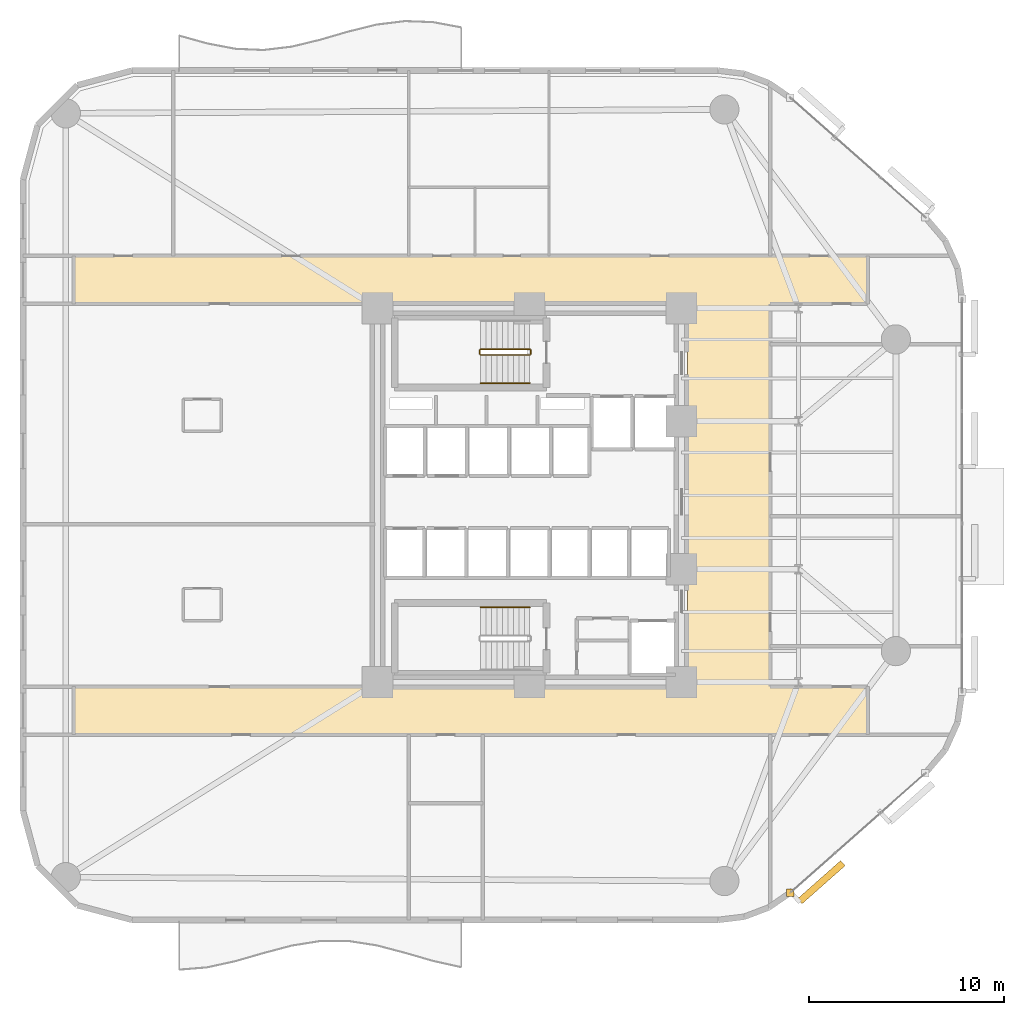
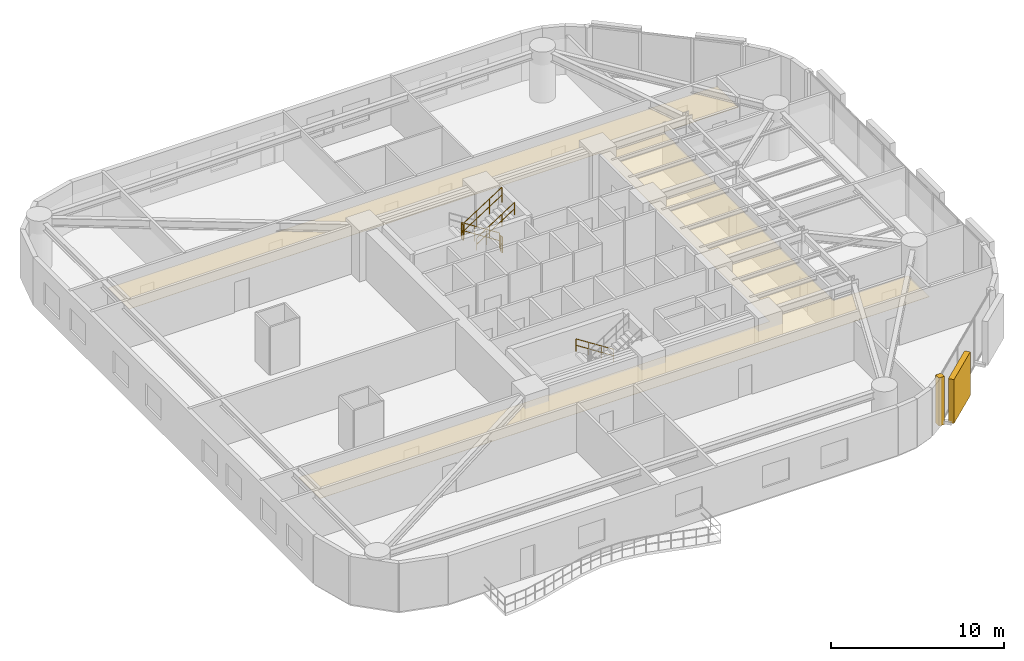
# One storey, part 15 of 16: 6 railings, 2 coverings, 1 shading device.
"""IFC4 building model written with IfcOpenShell, lengths in metres."""

from ifc_helpers import new_model, si_unit, direction, frame, origin, origin_2d, place, context, subcontext, project, spatial, polyline, rectangle, circle, outline, extrude, material, layer, layer_set, type_object, element, save


model = new_model("IFC4")

# Units and contexts
model_context = context("Model", 3, precision=1e-05, world=origin(), true_north=direction((0.0, 1.0)))
body_context = subcontext(model_context, "Body", "Model", "MODEL_VIEW")
ifc_project = project(units=[si_unit("LENGTHUNIT", "METRE"), si_unit("AREAUNIT", "SQUARE_METRE"), si_unit("VOLUMEUNIT", "CUBIC_METRE"), si_unit("PLANEANGLEUNIT", "RADIAN"), si_unit("MASSUNIT", "GRAM", prefix="KILO")], contexts=[model_context])

# Site, building, storey
site_placement = place(None, origin())
site = spatial("IfcSite", under=ifc_project, at=site_placement, CompositionType="ELEMENT")
building_placement = place(site_placement, origin())
building = spatial("IfcBuilding", under=site, at=building_placement, Name="An Khanh Terracotta Commons", CompositionType="ELEMENT")
storey_placement = place(building_placement, frame((0.0, 0.0, 39.60009765625)))
storey = spatial("IfcBuildingStorey", under=building, at=storey_placement, Name="L10", CompositionType="ELEMENT", Elevation=39.60009765625)

# Coverings
ifc_material_1 = material(Name="Perforated Mineral-Fibre Acoustic Tile")
ifc_layer_1 = layer(ifc_material_1, 0.02001953125, Name="Perforated Mineral-Fibre Acoustic Tile")
ifc_layer_set_1 = layer_set([ifc_layer_1], Name="Perforated Mineral-Fibre Acoustic Tile")
covering_type_1 = type_object("IfcCoveringType", Name="CEIL-ACOUSTIC-18", PredefinedType="CEILING", material=ifc_layer_set_1)
covering_1_placement = place(storey_placement, frame((0.0, 0.0, 2.64990234375)))
element("IfcCovering", 1, at=covering_1_placement, inside=storey, type_object=covering_type_1, Name="L10 Corridor Ceiling", PredefinedType="CEILING", context=body_context, shape_type="SweptSolid", body=[
    extrude(outline(polyline([(37.5, 14.179931640625), (37.5, 33.820068359375), (6.0, 33.820068359375), (6.0, 36.280029296875), (37.5, 36.280029296875), (41.75, 36.280029296875), (46.75, 36.280029296875), (46.75, 33.820068359375), (41.75, 33.820068359375), (41.75, 14.179931640625), (46.75, 14.179931640625), (46.75, 11.719970703125), (41.75, 11.719970703125), (37.5, 11.719970703125), (6.0, 11.719970703125), (6.0, 14.179931640625), (37.5, 14.179931640625)])), origin(), (0.0, 0.0, 1.0), 0.02001953125),
])
ifc_material_2 = material(Name="Fired Terracotta Rainscreen Cladding", Category="masonry")
ifc_layer_2 = layer(ifc_material_2, 0.080078125, Name="Fired Terracotta Rainscreen Cladding")
ifc_layer_set_2 = layer_set([ifc_layer_2], Name="Fired Terracotta Rainscreen Cladding")
covering_type_2 = type_object("IfcCoveringType", Name="COV-JAMB-TERRA", PredefinedType="CLADDING", material=ifc_layer_set_2)
covering_2_placement = place(storey_placement, frame((42.7890625, 3.60595703125, 0.0), z_axis=(0.0, 0.0, 1.0), x_axis=(1.0, 0.0, 0.0)))
element("IfcCovering", 2, at=covering_2_placement, inside=storey, type_object=covering_type_2, Name="L10 CW-02 Curtain-Wall Jamb Closure JA", PredefinedType="CLADDING", context=body_context, shape_type="SweptSolid", body=[
    extrude(rectangle(XDim=0.3798828125, YDim=0.3798828125, at=origin_2d()), origin(), (0.0, 0.0, 1.0), 3.39990234375),
])

# Railings
ifc_material_3 = material(Name="Brushed Stainless Steel 316", Category="steel")
railing_type_1 = type_object("IfcRailingType", Name="RAIL-HANDRAIL-900", PredefinedType="HANDRAIL", material=ifc_material_3)
railing_1_placement = place(storey_placement, frame((26.889892578125, 29.75, 1.97998046875)))
element("IfcRailing", 3, at=railing_1_placement, inside=storey, type_object=railing_type_1, Name="L10 ST-01 stair handrail 2", PredefinedType="HANDRAIL", context=body_context, shape_type="SweptSolid", body=[
    extrude(circle(Radius=0.02392578125, at=origin_2d()), frame((0.0, 0.0, 0.8759765625), z_axis=(0.841199657755, 0.0, 0.540724639528), x_axis=(0.0, 1.0, 0.0)), (0.0, 0.0, 1.0), 2.995849609375),
    extrude(circle(Radius=0.02392578125, at=origin_2d()), frame((0.0, 0.0, 0.42578125), z_axis=(0.841199657755, 0.0, 0.540724639528), x_axis=(0.0, 1.0, 0.0)), (0.0, 0.0, 1.0), 2.995849609375),
    extrude(circle(Radius=0.02099609375, at=origin_2d()), origin(), (0.0, 0.0, 1.0), 0.851806640625),
    extrude(circle(Radius=0.02099609375, at=origin_2d()), frame((0.840087890625, 0.0, 0.5400390625)), (0.0, 0.0, 1.0), 0.851806640625),
    extrude(circle(Radius=0.02099609375, at=origin_2d()), frame((1.679931640625, 0.0, 1.079833984375)), (0.0, 0.0, 1.0), 0.851806640625),
    extrude(circle(Radius=0.02099609375, at=origin_2d()), frame((2.52001953125, 0.0, 1.619873046875)), (0.0, 0.0, 1.0), 0.851806640625),
])
railing_2_placement = place(storey_placement, frame((29.409912109375, 18.25, 0.179931640625)))
element("IfcRailing", 4, at=railing_2_placement, inside=storey, type_object=railing_type_1, Name="L10 ST-02 stair handrail 1", PredefinedType="HANDRAIL", context=body_context, shape_type="SweptSolid", body=[
    extrude(circle(Radius=0.02392578125, at=origin_2d()), frame((0.0, 0.0, 0.8759765625), z_axis=(-0.841199657755, 0.0, 0.540724639528), x_axis=(0.0, -1.0, 0.0)), (0.0, 0.0, 1.0), 2.995849609375),
    extrude(circle(Radius=0.02392578125, at=origin_2d()), frame((0.0, 0.0, 0.42578125), z_axis=(-0.841199657755, 0.0, 0.540724639528), x_axis=(0.0, -1.0, 0.0)), (0.0, 0.0, 1.0), 2.995849609375),
    extrude(circle(Radius=0.02099609375, at=origin_2d()), origin(), (0.0, 0.0, 1.0), 0.851806640625),
    extrude(circle(Radius=0.02099609375, at=origin_2d()), frame((-0.840087890625, 0.0, 0.5400390625)), (0.0, 0.0, 1.0), 0.851806640625),
    extrude(circle(Radius=0.02099609375, at=origin_2d()), frame((-1.679931640625, 0.0, 1.079833984375)), (0.0, 0.0, 1.0), 0.851806640625),
    extrude(circle(Radius=0.02099609375, at=origin_2d()), frame((-2.52001953125, 0.0, 1.619873046875)), (0.0, 0.0, 1.0), 0.851806640625),
])
ifc_material_4 = material(Name="Powder-Coated Steel S355J2", Category="steel")
railing_type_2 = type_object("IfcRailingType", Name="RAIL-STAIR-GUARD-1100", PredefinedType="BALUSTRADE", material=ifc_material_4)
railing_3_placement = place(storey_placement, frame((29.409912109375, 31.5, 0.179931640625)))
element("IfcRailing", 5, at=railing_3_placement, inside=storey, type_object=railing_type_2, Name="L10 ST-01 stair guard 1", PredefinedType="BALUSTRADE", context=body_context, shape_type="SweptSolid", body=[
    extrude(circle(Radius=0.02392578125, at=origin_2d()), frame((0.0, 0.0, 1.076171875), z_axis=(-0.841199657755, 0.0, 0.540724639528), x_axis=(0.0, -1.0, 0.0)), (0.0, 0.0, 1.0), 2.995849609375),
    extrude(circle(Radius=0.02392578125, at=origin_2d()), frame((0.0, 0.0, 0.52587890625), z_axis=(-0.841199657755, 0.0, 0.540724639528), x_axis=(0.0, -1.0, 0.0)), (0.0, 0.0, 1.0), 2.995849609375),
    extrude(circle(Radius=0.02099609375, at=origin_2d()), origin(), (0.0, 0.0, 1.0), 1.052001953125),
    extrude(circle(Radius=0.02099609375, at=origin_2d()), frame((-0.840087890625, 0.0, 0.5400390625)), (0.0, 0.0, 1.0), 1.052001953125),
    extrude(circle(Radius=0.02099609375, at=origin_2d()), frame((-1.679931640625, 0.0, 1.079833984375)), (0.0, 0.0, 1.0), 1.052001953125),
    extrude(circle(Radius=0.02099609375, at=origin_2d()), frame((-2.52001953125, 0.0, 1.619873046875)), (0.0, 0.0, 1.0), 1.052001953125),
])
railing_4_placement = place(storey_placement, frame((26.840087890625, 31.449951171875, 1.7998046875)))
element("IfcRailing", 6, at=railing_4_placement, inside=storey, type_object=railing_type_2, Name="L10 ST-01 stair guard 2", PredefinedType="BALUSTRADE", context=body_context, shape_type="SweptSolid", body=[
    extrude(circle(Radius=0.02392578125, at=origin_2d()), frame((0.0, 0.0, 1.076171875), z_axis=(0.0, -1.0, 0.0), x_axis=(1.0, 0.0, 0.0)), (0.0, 0.0, 1.0), 0.199951171875),
    extrude(circle(Radius=0.02392578125, at=origin_2d()), frame((0.0, 0.0, 0.52587890625), z_axis=(0.0, -1.0, 0.0), x_axis=(1.0, 0.0, 0.0)), (0.0, 0.0, 1.0), 0.199951171875),
    extrude(circle(Radius=0.02099609375, at=origin_2d()), origin(), (0.0, 0.0, 1.0), 1.052001953125),
    extrude(circle(Radius=0.02099609375, at=origin_2d()), frame((0.0, -0.199951171875, 0.0)), (0.0, 0.0, 1.0), 1.052001953125),
])
railing_5_placement = place(storey_placement, frame((26.889892578125, 31.199951171875, 1.97998046875)))
element("IfcRailing", 7, at=railing_5_placement, inside=storey, type_object=railing_type_2, Name="L10 ST-01 stair guard 3", PredefinedType="BALUSTRADE", context=body_context, shape_type="SweptSolid", body=[
    extrude(circle(Radius=0.02392578125, at=origin_2d()), frame((0.0, 0.0, 1.076171875), z_axis=(0.841199657755, 0.0, 0.540724639528), x_axis=(0.0, 1.0, 0.0)), (0.0, 0.0, 1.0), 2.995849609375),
    extrude(circle(Radius=0.02392578125, at=origin_2d()), frame((0.0, 0.0, 0.52587890625), z_axis=(0.841199657755, 0.0, 0.540724639528), x_axis=(0.0, 1.0, 0.0)), (0.0, 0.0, 1.0), 2.995849609375),
    extrude(circle(Radius=0.02099609375, at=origin_2d()), origin(), (0.0, 0.0, 1.0), 1.052001953125),
    extrude(circle(Radius=0.02099609375, at=origin_2d()), frame((0.840087890625, 0.0, 0.5400390625)), (0.0, 0.0, 1.0), 1.052001953125),
    extrude(circle(Radius=0.02099609375, at=origin_2d()), frame((1.679931640625, 0.0, 1.079833984375)), (0.0, 0.0, 1.0), 1.052001953125),
    extrude(circle(Radius=0.02099609375, at=origin_2d()), frame((2.52001953125, 0.0, 1.619873046875)), (0.0, 0.0, 1.0), 1.052001953125),
])
railing_6_placement = place(storey_placement, frame((29.4599609375, 31.449951171875, 0.0)))
element("IfcRailing", 8, at=railing_6_placement, inside=storey, type_object=railing_type_2, Name="L10 ST-01 stair guard 4", PredefinedType="BALUSTRADE", context=body_context, shape_type="SweptSolid", body=[
    extrude(circle(Radius=0.02392578125, at=origin_2d()), frame((0.0, 0.0, 1.076171875), z_axis=(0.0, -1.0, 0.0), x_axis=(1.0, 0.0, 0.0)), (0.0, 0.0, 1.0), 0.199951171875),
    extrude(circle(Radius=0.02392578125, at=origin_2d()), frame((0.0, 0.0, 0.52587890625), z_axis=(0.0, -1.0, 0.0), x_axis=(1.0, 0.0, 0.0)), (0.0, 0.0, 1.0), 0.199951171875),
    extrude(circle(Radius=0.02099609375, at=origin_2d()), origin(), (0.0, 0.0, 1.0), 1.052001953125),
    extrude(circle(Radius=0.02099609375, at=origin_2d()), frame((0.0, -0.199951171875, 0.0)), (0.0, 0.0, 1.0), 1.052001953125),
])

# Shading device
ifc_material_5 = material(Name="Extruded Fired Terracotta", Category="masonry")
shading_device_type = type_object("IfcShadingDeviceType", Name="Terracotta Baguette Screen Assembly", PredefinedType="USERDEFINED", material=ifc_material_5)
shading_device_placement = place(storey_placement, frame((44.373046875, 4.138916015625, 0.14990234375), z_axis=(0.0, 0.0, 1.0), x_axis=(0.749019284633, 0.662548195415, 0.0)))
element("IfcShadingDevice", 9, at=shading_device_placement, inside=storey, type_object=shading_device_type, Name="L10 Terracotta Baguette Screen 1", ObjectType="BAGUETTE", PredefinedType="USERDEFINED", context=body_context, shape_type="SweptSolid", body=[
    extrude(rectangle(XDim=2.9599609375, YDim=0.35009765625, at=origin_2d()), origin(), (0.0, 0.0, 1.0), 3.10009765625),
])

save(model, "model.ifc")
